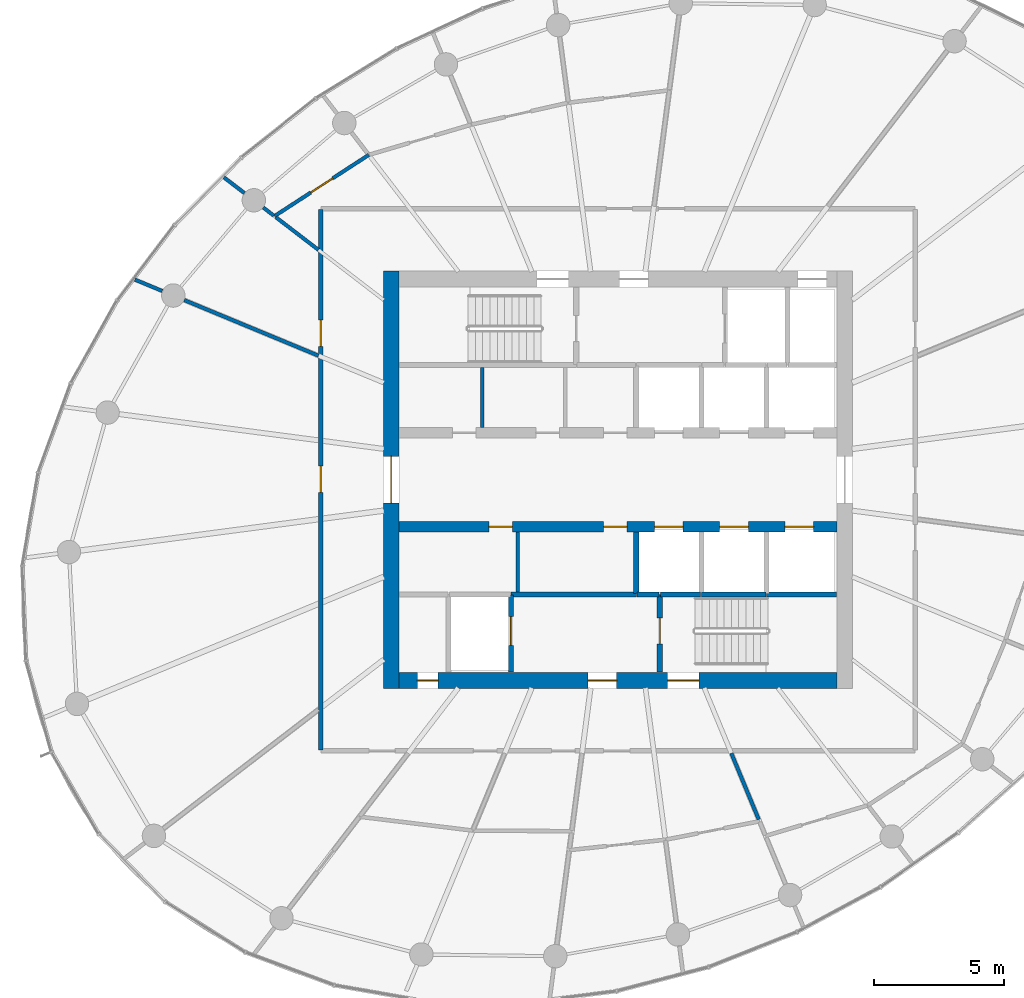
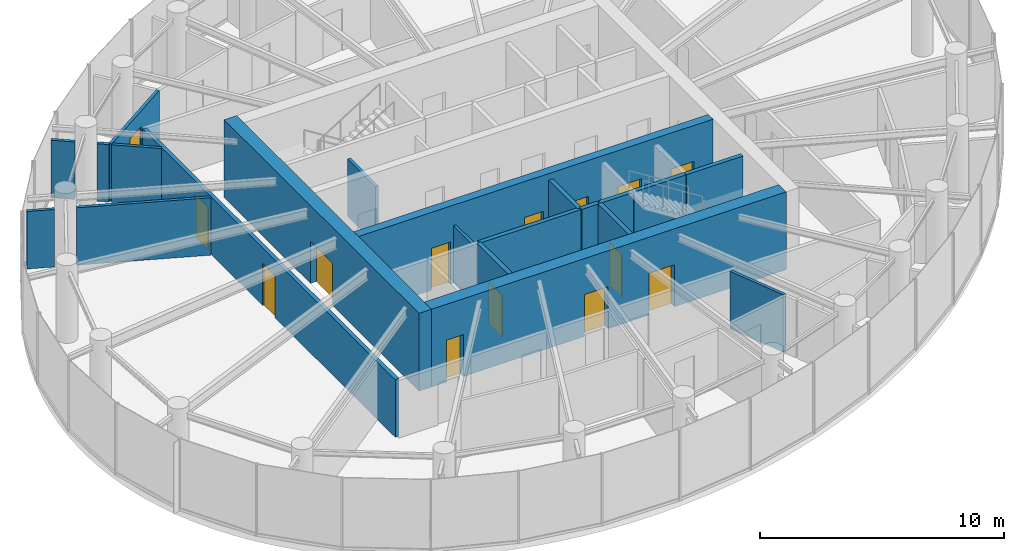
# One storey, part 10 of 14: 21 walls, 14 doors, 14 openings.
"""IFC4 building model written with IfcOpenShell, lengths in metres."""

from ifc_helpers import new_model, si_unit, direction, frame, frame_2d, origin, place, context, subcontext, project, spatial, rectangle, extrude, source, transform, mapped, material, layer, layer_set, type_object, element, fill, save


model = new_model("IFC4")

# Units and contexts
model_context = context("Model", 3, precision=1e-05, world=origin(), true_north=direction((0.0, 1.0)))
body_context = subcontext(model_context, "Body", "Model", "MODEL_VIEW")
ifc_project = project(units=[si_unit("LENGTHUNIT", "METRE"), si_unit("AREAUNIT", "SQUARE_METRE"), si_unit("VOLUMEUNIT", "CUBIC_METRE"), si_unit("PLANEANGLEUNIT", "RADIAN"), si_unit("MASSUNIT", "GRAM", prefix="KILO")], contexts=[model_context])

# Site, building, storey
site_placement = place(None, origin())
site = spatial("IfcSite", under=ifc_project, at=site_placement, CompositionType="ELEMENT")
building_placement = place(site_placement, origin())
building = spatial("IfcBuilding", under=site, at=building_placement, Name="Spindrift Exchange Tower", CompositionType="ELEMENT")
storey_placement = place(building_placement, frame((0.0, 0.0, 215.0)))
storey = spatial("IfcBuildingStorey", under=building, at=storey_placement, Name="L52", CompositionType="ELEMENT", Elevation=215.0)

# Wall, opening, door
ifc_material_1 = material(Name="Concrete 50 MPa", Category="concrete")
ifc_layer_1 = layer(ifc_material_1, 0.60009765625)
ifc_layer_set_1 = layer_set([ifc_layer_1], Name="RC Core Wall 600 Concrete 50 MPa")
wall_type_1 = type_object("IfcWallType", Name="RC Core Wall 600 Concrete 50 MPa", PredefinedType="SHEAR", material=ifc_layer_set_1)
wall_1_placement = place(storey_placement, frame((43.300048828125, 56.0, 0.0), z_axis=(0.0, 0.0, 1.0), x_axis=(0.0, -1.0, 0.0)))
wall_1 = element("IfcWall", 1, at=wall_1_placement, inside=storey, type_object=wall_type_1, Name="Core wall W L52", PredefinedType="SHEAR", context=body_context, shape_type="SweptSolid", body=[
    extrude(rectangle(XDim=16.0, YDim=0.60009765625, at=frame_2d((8.0, 0.0))), origin(), (0.0, 0.0, 1.0), 3.89990234375),
])
opening_1_placement = place(wall_1_placement, frame((7.10009765625, 0.0, 0.0)))
opening_1 = element("IfcOpeningElement", 2, at=opening_1_placement, cuts=wall_1, Name="Opening L52-D1", PredefinedType="OPENING", context=body_context, shape_type="SweptSolid", body=[
    extrude(rectangle(XDim=1.800048828125, YDim=2.10009765625, at=frame_2d((0.89990234375, 1.050048828125))), frame((0.0, 0.31005859375, 0.0), z_axis=(0.0, -1.0, 0.0), x_axis=(1.0, 0.0, 0.0)), (0.0, 0.0, 1.0), 0.6201171875),
])
ifc_material_2 = material(Name="Timber-core fire door", Category="wood")
door_type_1 = type_object("IfcDoorType", Name="DR-LOBBY-1800", OperationType="NOTDEFINED", PredefinedType="DOOR", material=ifc_material_2)
shared_shape_1 = source(origin(), body_context, "Body", "SweptSolid", [
    extrude(rectangle(XDim=1.800048828125, YDim=2.10009765625, at=frame_2d((0.89990234375, 1.050048828125))), frame((0.0, 0.02490234375, 0.0), z_axis=(0.0, -1.0, 0.0), x_axis=(1.0, 0.0, 0.0)), (0.0, 0.0, 1.0), 0.050048828125),
])
door_1_placement = place(opening_1_placement, origin())
door_1 = element("IfcDoor", 3, at=door_1_placement, inside=storey, type_object=door_type_1, Name="L52 Lobby door 1", OperationType="SINGLE_SWING_LEFT", OverallHeight=2.10009765625, OverallWidth=1.800048828125, PredefinedType="DOOR", context=body_context, shape_type="MappedRepresentation", body=[
    mapped(shared_shape_1, transform((0.0, 0.0, 0.0), scale=1.0)),
])
fill(opening_1, door_1)

# Wall, openings, doors
wall_2_placement = place(storey_placement, frame((43.60009765625, 40.300048828125, 0.0), z_axis=(0.0, 0.0, 1.0), x_axis=(1.0, 0.0, 0.0)))
wall_2 = element("IfcWall", 4, at=wall_2_placement, inside=storey, type_object=wall_type_1, Name="Core wall S L52", PredefinedType="SHEAR", context=body_context, shape_type="SweptSolid", body=[
    extrude(rectangle(XDim=16.7998046875, YDim=0.60009765625, at=frame_2d((8.39990234375, 0.0))), origin(), (0.0, 0.0, 1.0), 3.89990234375),
])
opening_2_placement = place(wall_2_placement, frame((10.300048828125, 0.0, 0.0)))
opening_2 = element("IfcOpeningElement", 5, at=opening_2_placement, cuts=wall_2, Name="Opening L52-D15", PredefinedType="OPENING", context=body_context, shape_type="SweptSolid", body=[
    extrude(rectangle(XDim=1.199951171875, YDim=2.10009765625, at=frame_2d((0.60009765625, 1.050048828125))), frame((0.0, 0.31005859375, 0.0), z_axis=(0.0, -1.0, 0.0), x_axis=(1.0, 0.0, 0.0)), (0.0, 0.0, 1.0), 0.6201171875),
])
opening_3_placement = place(wall_2_placement, frame((7.25, 0.0, 0.0)))
opening_3 = element("IfcOpeningElement", 6, at=opening_3_placement, cuts=wall_2, Name="Opening L52-D17", PredefinedType="OPENING", context=body_context, shape_type="SweptSolid", body=[
    extrude(rectangle(XDim=1.10009765625, YDim=2.10009765625, at=frame_2d((0.550048828125, 1.050048828125))), frame((0.0, 0.31005859375, 0.0), z_axis=(0.0, -1.0, 0.0), x_axis=(1.0, 0.0, 0.0)), (0.0, 0.0, 1.0), 0.6201171875),
])
opening_4_placement = place(wall_2_placement, frame((0.699951171875, 0.0, 0.0)))
opening_4 = element("IfcOpeningElement", 7, at=opening_4_placement, cuts=wall_2, Name="Opening L52-D18", PredefinedType="OPENING", context=body_context, shape_type="SweptSolid", body=[
    extrude(rectangle(XDim=0.800048828125, YDim=2.10009765625, at=frame_2d((0.39990234375, 1.050048828125))), frame((0.0, 0.31005859375, 0.0), z_axis=(0.0, -1.0, 0.0), x_axis=(1.0, 0.0, 0.0)), (0.0, 0.0, 1.0), 0.6201171875),
])
ifc_material_3 = material(Name="Steel fire door", Category="steel")
door_type_2 = type_object("IfcDoorType", Name="DR-STAIR-1200", OperationType="NOTDEFINED", PredefinedType="DOOR", material=ifc_material_3)
shared_shape_2 = source(origin(), body_context, "Body", "SweptSolid", [
    extrude(rectangle(XDim=1.199951171875, YDim=2.10009765625, at=frame_2d((0.60009765625, 1.050048828125))), frame((0.0, 0.02490234375, 0.0), z_axis=(0.0, -1.0, 0.0), x_axis=(1.0, 0.0, 0.0)), (0.0, 0.0, 1.0), 0.050048828125),
])
door_2_placement = place(opening_2_placement, origin())
door_2 = element("IfcDoor", 8, at=door_2_placement, inside=storey, type_object=door_type_2, Name="L52 Stair door 15", OperationType="SINGLE_SWING_RIGHT", OverallHeight=2.10009765625, OverallWidth=1.199951171875, PredefinedType="DOOR", context=body_context, shape_type="MappedRepresentation", body=[
    mapped(shared_shape_2, transform((0.0, 0.0, 0.0), scale=1.0)),
])
fill(opening_2, door_2)
door_type_3 = type_object("IfcDoorType", Name="DR-LOBBY-1100", OperationType="NOTDEFINED", PredefinedType="DOOR", material=ifc_material_2)
shared_shape_3 = source(origin(), body_context, "Body", "SweptSolid", [
    extrude(rectangle(XDim=1.10009765625, YDim=2.10009765625, at=frame_2d((0.550048828125, 1.050048828125))), frame((0.0, 0.02490234375, 0.0), z_axis=(0.0, -1.0, 0.0), x_axis=(1.0, 0.0, 0.0)), (0.0, 0.0, 1.0), 0.050048828125),
])
door_3_placement = place(opening_3_placement, origin())
door_3 = element("IfcDoor", 9, at=door_3_placement, inside=storey, type_object=door_type_3, Name="L52 Lobby door 17", OperationType="SINGLE_SWING_RIGHT", OverallHeight=2.10009765625, OverallWidth=1.10009765625, PredefinedType="DOOR", context=body_context, shape_type="MappedRepresentation", body=[
    mapped(shared_shape_3, transform((0.0, 0.0, 0.0), scale=1.0)),
])
fill(opening_3, door_3)
ifc_material_4 = material(Name="Steel access door", Category="steel")
door_type_4 = type_object("IfcDoorType", Name="DR-RISER-800", OperationType="NOTDEFINED", PredefinedType="DOOR", material=ifc_material_4)
shared_shape_4 = source(origin(), body_context, "Body", "SweptSolid", [
    extrude(rectangle(XDim=0.800048828125, YDim=2.10009765625, at=frame_2d((0.39990234375, 1.050048828125))), frame((0.0, 0.02490234375, 0.0), z_axis=(0.0, -1.0, 0.0), x_axis=(1.0, 0.0, 0.0)), (0.0, 0.0, 1.0), 0.050048828125),
])
door_4_placement = place(opening_4_placement, origin())
door_4 = element("IfcDoor", 10, at=door_4_placement, inside=storey, type_object=door_type_4, Name="L52 Riser door 18", OperationType="SINGLE_SWING_LEFT", OverallHeight=2.10009765625, OverallWidth=0.800048828125, PredefinedType="DOOR", context=body_context, shape_type="MappedRepresentation", body=[
    mapped(shared_shape_4, transform((0.0, 0.0, 0.0), scale=1.0)),
])
fill(opening_4, door_4)

ifc_layer_2 = layer(ifc_material_1, 0.39990234375)
ifc_layer_set_2 = layer_set([ifc_layer_2], Name="RC Spine Wall 400 Concrete 50 MPa")
wall_type_2 = type_object("IfcWallType", Name="RC Spine Wall 400 Concrete 50 MPa", PredefinedType="SHEAR", material=ifc_layer_set_2)
wall_3_placement = place(storey_placement, frame((43.60009765625, 46.199951171875, 0.0), z_axis=(0.0, 0.0, 1.0), x_axis=(1.0, 0.0, 0.0)))
wall_3 = element("IfcWall", 11, at=wall_3_placement, inside=storey, type_object=wall_type_2, Name="Core spine wall S L52", PredefinedType="SHEAR", context=body_context, shape_type="SweptSolid", body=[
    extrude(rectangle(XDim=16.7998046875, YDim=0.39990234375, at=frame_2d((8.39990234375, 0.0))), origin(), (0.0, 0.0, 1.0), 3.89990234375),
])
opening_5_placement = place(wall_3_placement, frame((9.800048828125, 0.0, 0.0)))
opening_5 = element("IfcOpeningElement", 12, at=opening_5_placement, cuts=wall_3, Name="Opening L52-D6", PredefinedType="OPENING", context=body_context, shape_type="SweptSolid", body=[
    extrude(rectangle(XDim=1.10009765625, YDim=2.10009765625, at=frame_2d((0.550048828125, 1.050048828125))), frame((0.0, 0.2099609375, 0.0), z_axis=(0.0, -1.0, 0.0), x_axis=(1.0, 0.0, 0.0)), (0.0, 0.0, 1.0), 0.419921875),
])
opening_6_placement = place(wall_3_placement, frame((12.300048828125, 0.0, 0.0)))
opening_6 = element("IfcOpeningElement", 13, at=opening_6_placement, cuts=wall_3, Name="Opening L52-D7", PredefinedType="OPENING", context=body_context, shape_type="SweptSolid", body=[
    extrude(rectangle(XDim=1.10009765625, YDim=2.10009765625, at=frame_2d((0.550048828125, 1.050048828125))), frame((0.0, 0.2099609375, 0.0), z_axis=(0.0, -1.0, 0.0), x_axis=(1.0, 0.0, 0.0)), (0.0, 0.0, 1.0), 0.419921875),
])
opening_7_placement = place(wall_3_placement, frame((14.800048828125, 0.0, 0.0)))
opening_7 = element("IfcOpeningElement", 14, at=opening_7_placement, cuts=wall_3, Name="Opening L52-D8", PredefinedType="OPENING", context=body_context, shape_type="SweptSolid", body=[
    extrude(rectangle(XDim=1.10009765625, YDim=2.10009765625, at=frame_2d((0.550048828125, 1.050048828125))), frame((0.0, 0.2099609375, 0.0), z_axis=(0.0, -1.0, 0.0), x_axis=(1.0, 0.0, 0.0)), (0.0, 0.0, 1.0), 0.419921875),
])
opening_8_placement = place(wall_3_placement, frame((3.449951171875, 0.0, 0.0)))
opening_8 = element("IfcOpeningElement", 15, at=opening_8_placement, cuts=wall_3, Name="Opening L52-D44", PredefinedType="OPENING", context=body_context, shape_type="SweptSolid", body=[
    extrude(rectangle(XDim=0.89990234375, YDim=2.10009765625, at=frame_2d((0.449951171875, 1.050048828125))), frame((0.0, 0.2099609375, 0.0), z_axis=(0.0, -1.0, 0.0), x_axis=(1.0, 0.0, 0.0)), (0.0, 0.0, 1.0), 0.419921875),
])
opening_9_placement = place(wall_3_placement, frame((7.85009765625, 0.0, 0.0)))
opening_9 = element("IfcOpeningElement", 16, at=opening_9_placement, cuts=wall_3, Name="Opening L52-D45", PredefinedType="OPENING", context=body_context, shape_type="SweptSolid", body=[
    extrude(rectangle(XDim=0.89990234375, YDim=2.10009765625, at=frame_2d((0.449951171875, 1.050048828125))), frame((0.0, 0.2099609375, 0.0), z_axis=(0.0, -1.0, 0.0), x_axis=(1.0, 0.0, 0.0)), (0.0, 0.0, 1.0), 0.419921875),
])
ifc_material_5 = material(Name="Stainless steel landing door", Category="steel")
door_type_5 = type_object("IfcDoorType", Name="DR-LANDING-1100-SL", OperationType="DOUBLE_DOOR_SLIDING", PredefinedType="USERDEFINED", material=ifc_material_5)
shared_shape_5 = source(origin(), body_context, "Body", "SweptSolid", [
    extrude(rectangle(XDim=1.10009765625, YDim=2.10009765625, at=frame_2d((0.550048828125, 1.050048828125))), frame((0.0, 0.02490234375, 0.0), z_axis=(0.0, -1.0, 0.0), x_axis=(1.0, 0.0, 0.0)), (0.0, 0.0, 1.0), 0.050048828125),
])
door_5_placement = place(opening_5_placement, origin())
door_5 = element("IfcDoor", 17, at=door_5_placement, inside=storey, type_object=door_type_5, Name="L52 Lift landing door 6", ObjectType="LANDING DOOR", OperationType="DOUBLE_DOOR_SLIDING", OverallHeight=2.10009765625, OverallWidth=1.10009765625, PredefinedType="USERDEFINED", context=body_context, shape_type="MappedRepresentation", body=[
    mapped(shared_shape_5, transform((0.0, 0.0, 0.0), scale=1.0)),
])
fill(opening_5, door_5)
door_6_placement = place(opening_6_placement, origin())
door_6 = element("IfcDoor", 18, at=door_6_placement, inside=storey, type_object=door_type_5, Name="L52 Lift landing door 7", ObjectType="LANDING DOOR", OperationType="DOUBLE_DOOR_SLIDING", OverallHeight=2.10009765625, OverallWidth=1.10009765625, PredefinedType="USERDEFINED", context=body_context, shape_type="MappedRepresentation", body=[
    mapped(shared_shape_5, transform((0.0, 0.0, 0.0), scale=1.0)),
])
fill(opening_6, door_6)
door_7_placement = place(opening_7_placement, origin())
door_7 = element("IfcDoor", 19, at=door_7_placement, inside=storey, type_object=door_type_5, Name="L52 Lift landing door 8", ObjectType="LANDING DOOR", OperationType="DOUBLE_DOOR_SLIDING", OverallHeight=2.10009765625, OverallWidth=1.10009765625, PredefinedType="USERDEFINED", context=body_context, shape_type="MappedRepresentation", body=[
    mapped(shared_shape_5, transform((0.0, 0.0, 0.0), scale=1.0)),
])
fill(opening_7, door_7)
door_type_6 = type_object("IfcDoorType", Name="DR-RISER-900", OperationType="NOTDEFINED", PredefinedType="DOOR", material=ifc_material_4)
shared_shape_6 = source(origin(), body_context, "Body", "SweptSolid", [
    extrude(rectangle(XDim=0.89990234375, YDim=2.10009765625, at=frame_2d((0.449951171875, 1.050048828125))), frame((0.0, 0.02490234375, 0.0), z_axis=(0.0, -1.0, 0.0), x_axis=(1.0, 0.0, 0.0)), (0.0, 0.0, 1.0), 0.050048828125),
])
door_8_placement = place(opening_8_placement, origin())
door_8 = element("IfcDoor", 20, at=door_8_placement, inside=storey, type_object=door_type_6, Name="L52 Riser door 44", OperationType="SINGLE_SWING_LEFT", OverallHeight=2.10009765625, OverallWidth=0.89990234375, PredefinedType="DOOR", context=body_context, shape_type="MappedRepresentation", body=[
    mapped(shared_shape_6, transform((0.0, 0.0, 0.0), scale=1.0)),
])
fill(opening_8, door_8)
door_9_placement = place(opening_9_placement, origin())
door_9 = element("IfcDoor", 21, at=door_9_placement, inside=storey, type_object=door_type_6, Name="L52 Riser door 45", OperationType="SINGLE_SWING_RIGHT", OverallHeight=2.10009765625, OverallWidth=0.89990234375, PredefinedType="DOOR", context=body_context, shape_type="MappedRepresentation", body=[
    mapped(shared_shape_6, transform((0.0, 0.0, 0.0), scale=1.0)),
])
fill(opening_9, door_9)

ifc_material_6 = material(Name="Fire-rated plasterboard partition", Category="gypsum")
ifc_layer_3 = layer(ifc_material_6, 0.179931640625)
ifc_layer_set_3 = layer_set([ifc_layer_3], Name="W-CORR-180")
wall_type_3 = type_object("IfcWallType", Name="W-CORR-180", PredefinedType="PARTITIONING", material=ifc_layer_set_3)
wall_4_placement = place(storey_placement, frame((40.60009765625, 37.6298828125, 0.0), z_axis=(0.0, 0.0, 1.0), x_axis=(0.0, 1.0, 0.0)))
wall_4 = element("IfcWall", 22, at=wall_4_placement, inside=storey, type_object=wall_type_3, Name="L52 Partition wall 30", PredefinedType="PARTITIONING", context=body_context, shape_type="SweptSolid", body=[
    extrude(rectangle(XDim=20.740234375, YDim=0.179931640625, at=frame_2d((10.3701171875, 0.0))), origin(), (0.0, 0.0, 1.0), 2.8798828125),
])
opening_10_placement = place(wall_4_placement, frame((15.489990234375, 0.0, 0.0)))
opening_10 = element("IfcOpeningElement", 23, at=opening_10_placement, cuts=wall_4, Name="Opening L52-D38", PredefinedType="OPENING", context=body_context, shape_type="SweptSolid", body=[
    extrude(rectangle(XDim=1.0, YDim=2.10009765625, at=frame_2d((0.5, 1.050048828125))), frame((0.0, 0.099853515625, 0.0), z_axis=(0.0, -1.0, 0.0), x_axis=(1.0, 0.0, 0.0)), (0.0, 0.0, 1.0), 0.199951171875),
])
opening_11_placement = place(wall_4_placement, frame((9.889892578125, 0.0, 0.0)))
opening_11 = element("IfcOpeningElement", 24, at=opening_11_placement, cuts=wall_4, Name="Opening L52-D39", PredefinedType="OPENING", context=body_context, shape_type="SweptSolid", body=[
    extrude(rectangle(XDim=1.0, YDim=2.10009765625, at=frame_2d((0.5, 1.050048828125))), frame((0.0, 0.099853515625, 0.0), z_axis=(0.0, -1.0, 0.0), x_axis=(1.0, 0.0, 0.0)), (0.0, 0.0, 1.0), 0.199951171875),
])
door_type_7 = type_object("IfcDoorType", Name="DR-ROOM-1000", OperationType="NOTDEFINED", PredefinedType="DOOR", material=ifc_material_2)
shared_shape_7 = source(origin(), body_context, "Body", "SweptSolid", [
    extrude(rectangle(XDim=1.0, YDim=2.10009765625, at=frame_2d((0.5, 1.050048828125))), frame((0.0, 0.02490234375, 0.0), z_axis=(0.0, -1.0, 0.0), x_axis=(1.0, 0.0, 0.0)), (0.0, 0.0, 1.0), 0.050048828125),
])
door_10_placement = place(opening_10_placement, origin())
door_10 = element("IfcDoor", 25, at=door_10_placement, inside=storey, type_object=door_type_7, Name="L52 Door 38", OperationType="SINGLE_SWING_LEFT", OverallHeight=2.10009765625, OverallWidth=1.0, PredefinedType="DOOR", context=body_context, shape_type="MappedRepresentation", body=[
    mapped(shared_shape_7, transform((0.0, 0.0, 0.0), scale=1.0)),
])
fill(opening_10, door_10)
door_11_placement = place(opening_11_placement, origin())
door_11 = element("IfcDoor", 26, at=door_11_placement, inside=storey, type_object=door_type_7, Name="L52 Door 39", OperationType="SINGLE_SWING_RIGHT", OverallHeight=2.10009765625, OverallWidth=1.0, PredefinedType="DOOR", context=body_context, shape_type="MappedRepresentation", body=[
    mapped(shared_shape_7, transform((0.0, 0.0, 0.0), scale=1.0)),
])
fill(opening_11, door_11)

# Wall
ifc_layer_4 = layer(ifc_material_6, 0.139892578125)
ifc_layer_set_4 = layer_set([ifc_layer_4], Name="W-PART-140")
wall_type_4 = type_object("IfcWallType", Name="W-PART-140", PredefinedType="PARTITIONING", material=ifc_layer_set_4)
wall_5_placement = place(storey_placement, frame((40.510009765625, 52.75927734375, 0.0), z_axis=(0.0, 0.0, 1.0), x_axis=(-0.9238758778, 0.382692255499, 0.0)))
element("IfcWall", 27, at=wall_5_placement, inside=storey, type_object=wall_type_4, Name="L52 Partition wall 34", PredefinedType="PARTITIONING", context=body_context, shape_type="SweptSolid", body=[
    extrude(rectangle(XDim=5.5732421875, YDim=0.139892578125, at=frame_2d((2.78662109375, 0.0))), origin(), (0.0, 0.0, 1.0), 2.8798828125),
])

# Wall, opening, door
wall_6_placement = place(storey_placement, frame((38.8212890625, 58.1123046875, 0.0), z_axis=(0.0, 0.0, 1.0), x_axis=(0.838669882541, 0.544640090444, 0.0)))
wall_6 = element("IfcWall", 28, at=wall_6_placement, inside=storey, type_object=wall_type_4, Name="L52 Partition wall 40", PredefinedType="PARTITIONING", context=body_context, shape_type="SweptSolid", body=[
    extrude(rectangle(XDim=4.312744140625, YDim=0.139892578125, at=frame_2d((2.15625, 0.0))), origin(), (0.0, 0.0, 1.0), 2.8798828125),
])
opening_12_placement = place(wall_6_placement, frame((1.66259765625, 0.0, 0.0)))
opening_12 = element("IfcOpeningElement", 29, at=opening_12_placement, cuts=wall_6, Name="Opening L52-D37", PredefinedType="OPENING", context=body_context, shape_type="SweptSolid", body=[
    extrude(rectangle(XDim=1.0, YDim=2.10009765625, at=frame_2d((0.5, 1.050048828125))), frame((0.0, 0.079833984375, 0.0), z_axis=(0.0, -1.0, 0.0), x_axis=(1.0, 0.0, 0.0)), (0.0, 0.0, 1.0), 0.159912109375),
])
door_12_placement = place(opening_12_placement, origin())
door_12 = element("IfcDoor", 30, at=door_12_placement, inside=storey, type_object=door_type_7, Name="L52 Door 37", OperationType="SINGLE_SWING_RIGHT", OverallHeight=2.10009765625, OverallWidth=1.0, PredefinedType="DOOR", context=body_context, shape_type="MappedRepresentation", body=[
    mapped(shared_shape_7, transform((0.0, 0.0, 0.0), scale=1.0)),
])
fill(opening_12, door_12)

# Walls
wall_7_placement = place(storey_placement, frame((56.34521484375, 37.510009765625, 0.0), z_axis=(0.0, 0.0, 1.0), x_axis=(0.382675461762, -0.923882834003, 0.0)))
element("IfcWall", 31, at=wall_7_placement, inside=storey, type_object=wall_type_4, Name="L52 Partition wall 55", PredefinedType="PARTITIONING", context=body_context, shape_type="SweptSolid", body=[
    extrude(rectangle(XDim=2.75341796875, YDim=0.139892578125, at=frame_2d((1.376708984375, 0.0))), origin(), (0.0, 0.0, 1.0), 2.8798828125),
])
for number, where, z_axis, x_axis, name in (
    (32, (46.784912109375, 50.010009765625, 0.0), (0.0, 0.0, 1.0), (0.0, 1.0, 0.0), "L52 Partition wall 58"),
    (33, (48.14990234375, 43.699951171875, 0.0), (0.0, 0.0, 1.0), (0.0, 1.0, 0.0), "L52 Partition wall 59"),
):
    element("IfcWall", number, at=place(storey_placement, frame(where, z_axis=z_axis, x_axis=x_axis)), inside=storey, type_object=wall_type_4, Name=name, PredefinedType="PARTITIONING", context=body_context, shape_type="SweptSolid", body=[
        extrude(rectangle(XDim=2.2900390625, YDim=0.139892578125, at=frame_2d((1.14501953125, 0.0))), origin(), (0.0, 0.0, 1.0), 2.8798828125),
    ])
wall_8_placement = place(storey_placement, frame((40.510009765625, 56.816650390625, 0.0), z_axis=(0.0, 0.0, 1.0), x_axis=(-0.793392079692, 0.608710939512, 0.0)))
element("IfcWall", 34, at=wall_8_placement, inside=storey, type_object=wall_type_4, Name="L52 Partition wall 61", PredefinedType="PARTITIONING", context=body_context, shape_type="SweptSolid", body=[
    extrude(rectangle(XDim=2.054443359375, YDim=0.139892578125, at=frame_2d((1.02734375, 0.0))), origin(), (0.0, 0.0, 1.0), 2.8798828125),
])
wall_9_placement = place(storey_placement, frame((34.520263671875, 55.240478515625, 0.0), z_axis=(0.0, 0.0, 1.0), x_axis=(-0.92392296186, 0.38257856781, 0.0)))
element("IfcWall", 35, at=wall_9_placement, inside=storey, type_object=wall_type_4, Name="L52 Partition wall 71", PredefinedType="PARTITIONING", context=body_context, shape_type="SweptSolid", body=[
    extrude(rectangle(XDim=1.14111328125, YDim=0.139892578125, at=frame_2d((0.570556640625, 0.0))), origin(), (0.0, 0.0, 1.0), 2.8798828125),
])
wall_10_placement = place(storey_placement, frame((37.66845703125, 58.9970703125, 0.0), z_axis=(0.0, 0.0, 1.0), x_axis=(-0.793419984166, 0.608674567176, 0.0)))
element("IfcWall", 36, at=wall_10_placement, inside=storey, type_object=wall_type_4, Name="L52 Partition wall 77", PredefinedType="PARTITIONING", context=body_context, shape_type="SweptSolid", body=[
    extrude(rectangle(XDim=0.9912109375, YDim=0.139892578125, at=frame_2d((0.49560546875, 0.0))), origin(), (0.0, 0.0, 1.0), 2.8798828125),
])
wall_11_placement = place(storey_placement, frame((38.797607421875, 58.130615234375, 0.0), z_axis=(0.0, 0.0, 1.0), x_axis=(-0.793399979609, 0.608700642645, 0.0)))
element("IfcWall", 37, at=wall_11_placement, inside=storey, type_object=wall_type_4, Name="L52 Partition wall 86", PredefinedType="PARTITIONING", context=body_context, shape_type="SweptSolid", body=[
    extrude(rectangle(XDim=0.51416015625, YDim=0.139892578125, at=frame_2d((0.257080078125, 0.0))), origin(), (0.0, 0.0, 1.0), 2.8798828125),
])
ifc_material_7 = material(Name="Concrete 40 MPa", Category="concrete")
ifc_layer_5 = layer(ifc_material_7, 0.199951171875)
ifc_layer_set_5 = layer_set([ifc_layer_5], Name="W-SHAFT-200")
wall_type_5 = type_object("IfcWallType", Name="W-SHAFT-200", PredefinedType="SOLIDWALL", material=ifc_layer_set_5)
wall_12_placement = place(storey_placement, frame((52.699951171875, 43.60009765625, 0.0), z_axis=(0.0, 0.0, 1.0), x_axis=(-1.0, 0.0, 0.0)))
element("IfcWall", 38, at=wall_12_placement, inside=storey, type_object=wall_type_5, Name="L52 Shaft wall 2", PredefinedType="SOLIDWALL", context=body_context, shape_type="SweptSolid", body=[
    extrude(rectangle(XDim=4.800048828125, YDim=0.199951171875, at=frame_2d((2.39990234375, 0.0))), origin(), (0.0, 0.0, 1.0), 3.580078125),
])

# Wall, opening, door
wall_13_placement = place(storey_placement, frame((47.89990234375, 40.6201171875, 0.0), z_axis=(0.0, 0.0, 1.0), x_axis=(0.0, 1.0, 0.0)))
wall_13 = element("IfcWall", 39, at=wall_13_placement, inside=storey, type_object=wall_type_5, Name="L52 Shaft wall 4", PredefinedType="SOLIDWALL", context=body_context, shape_type="SweptSolid", body=[
    extrude(rectangle(XDim=2.949951171875, YDim=0.199951171875, at=frame_2d((1.47509765625, 0.0))), origin(), (0.0, 0.0, 1.0), 3.580078125),
])
opening_13_placement = place(wall_13_placement, frame((1.030029296875, 0.0, 0.0)))
opening_13 = element("IfcOpeningElement", 40, at=opening_13_placement, cuts=wall_13, Name="Opening L52-D10", PredefinedType="OPENING", context=body_context, shape_type="SweptSolid", body=[
    extrude(rectangle(XDim=1.10009765625, YDim=2.10009765625, at=frame_2d((0.550048828125, 1.050048828125))), frame((0.0, 0.10986328125, 0.0), z_axis=(0.0, -1.0, 0.0), x_axis=(1.0, 0.0, 0.0)), (0.0, 0.0, 1.0), 0.219970703125),
])
door_13_placement = place(opening_13_placement, origin())
door_13 = element("IfcDoor", 41, at=door_13_placement, inside=storey, type_object=door_type_5, Name="L52 Lift landing door 10", ObjectType="LANDING DOOR", OperationType="DOUBLE_DOOR_SLIDING", OverallHeight=2.10009765625, OverallWidth=1.10009765625, PredefinedType="USERDEFINED", context=body_context, shape_type="MappedRepresentation", body=[
    mapped(shared_shape_5, transform((0.0, 0.0, 0.0), scale=1.0)),
])
fill(opening_13, door_13)

# Wall
wall_14_placement = place(storey_placement, frame((52.699951171875, 45.989990234375, 0.0), z_axis=(0.0, 0.0, 1.0), x_axis=(0.0, -1.0, 0.0)))
element("IfcWall", 42, at=wall_14_placement, inside=storey, type_object=wall_type_5, Name="L52 Shaft wall 13", PredefinedType="SOLIDWALL", context=body_context, shape_type="SweptSolid", body=[
    extrude(rectangle(XDim=2.360107421875, YDim=0.199951171875, at=frame_2d((1.18017578125, 0.0))), origin(), (0.0, 0.0, 1.0), 3.580078125),
])

# Wall, opening, door
ifc_layer_6 = layer(ifc_material_7, 0.199951171875)
ifc_layer_set_6 = layer_set([ifc_layer_6], Name="W-SHAFT-200-LB")
wall_type_6 = type_object("IfcWallType", Name="W-SHAFT-200-LB", PredefinedType="SOLIDWALL", material=ifc_layer_set_6)
wall_15_placement = place(storey_placement, frame((53.60009765625, 43.60009765625, 0.0), z_axis=(0.0, 0.0, 1.0), x_axis=(0.0, -1.0, 0.0)))
wall_15 = element("IfcWall", 43, at=wall_15_placement, inside=storey, type_object=wall_type_6, Name="L52 Shaft wall 6", PredefinedType="SOLIDWALL", context=body_context, shape_type="SweptSolid", body=[
    extrude(rectangle(XDim=2.97998046875, YDim=0.199951171875, at=frame_2d((1.489990234375, 0.0))), origin(), (0.0, 0.0, 1.0), 3.580078125),
])
opening_14_placement = place(wall_15_placement, frame((0.89990234375, 0.0, 0.0)))
opening_14 = element("IfcOpeningElement", 44, at=opening_14_placement, cuts=wall_15, Name="Opening L52-D16", PredefinedType="OPENING", context=body_context, shape_type="SweptSolid", body=[
    extrude(rectangle(XDim=1.0, YDim=2.10009765625, at=frame_2d((0.5, 1.050048828125))), frame((0.0, 0.10986328125, 0.0), z_axis=(0.0, -1.0, 0.0), x_axis=(1.0, 0.0, 0.0)), (0.0, 0.0, 1.0), 0.219970703125),
])
door_type_8 = type_object("IfcDoorType", Name="DR-STAIR-1000", OperationType="NOTDEFINED", PredefinedType="DOOR", material=ifc_material_3)
shared_shape_8 = source(origin(), body_context, "Body", "SweptSolid", [
    extrude(rectangle(XDim=1.0, YDim=2.10009765625, at=frame_2d((0.5, 1.050048828125))), frame((0.0, 0.02490234375, 0.0), z_axis=(0.0, -1.0, 0.0), x_axis=(1.0, 0.0, 0.0)), (0.0, 0.0, 1.0), 0.050048828125),
])
door_14_placement = place(opening_14_placement, origin())
door_14 = element("IfcDoor", 45, at=door_14_placement, inside=storey, type_object=door_type_8, Name="L52 Stair door 16", OperationType="SINGLE_SWING_LEFT", OverallHeight=2.10009765625, OverallWidth=1.0, PredefinedType="DOOR", context=body_context, shape_type="MappedRepresentation", body=[
    mapped(shared_shape_8, transform((0.0, 0.0, 0.0), scale=1.0)),
])
fill(opening_14, door_14)

# Walls
wall_16_placement = place(storey_placement, frame((57.699951171875, 43.60009765625, 0.0), z_axis=(0.0, 0.0, 1.0), x_axis=(1.0, 0.0, 0.0)))
element("IfcWall", 46, at=wall_16_placement, inside=storey, type_object=wall_type_6, Name="L52 Shaft wall 9", PredefinedType="SOLIDWALL", context=body_context, shape_type="SweptSolid", body=[
    extrude(rectangle(XDim=2.679931640625, YDim=0.199951171875, at=frame_2d((1.33984375, 0.0))), origin(), (0.0, 0.0, 1.0), 3.580078125),
])
wall_17_placement = place(storey_placement, frame((55.199951171875, 43.60009765625, 0.0), z_axis=(0.0, 0.0, 1.0), x_axis=(1.0, 0.0, 0.0)))
element("IfcWall", 47, at=wall_17_placement, inside=storey, type_object=wall_type_6, Name="L52 Shaft wall 11", PredefinedType="SOLIDWALL", context=body_context, shape_type="SweptSolid", body=[
    extrude(rectangle(XDim=2.469970703125, YDim=0.199951171875, at=frame_2d((1.23486328125, 0.0))), origin(), (0.0, 0.0, 1.0), 3.580078125),
])
wall_18_placement = place(storey_placement, frame((53.6298828125, 43.60009765625, 0.0), z_axis=(0.0, 0.0, 1.0), x_axis=(1.0, 0.0, 0.0)))
element("IfcWall", 48, at=wall_18_placement, inside=storey, type_object=wall_type_6, Name="L52 Shaft wall 22", PredefinedType="SOLIDWALL", context=body_context, shape_type="SweptSolid", body=[
    extrude(rectangle(XDim=1.5400390625, YDim=0.199951171875, at=frame_2d((0.77001953125, 0.0))), origin(), (0.0, 0.0, 1.0), 3.580078125),
])
wall_19_placement = place(storey_placement, frame((52.72998046875, 43.60009765625, 0.0), z_axis=(0.0, 0.0, 1.0), x_axis=(1.0, 0.0, 0.0)))
element("IfcWall", 49, at=wall_19_placement, inside=storey, type_object=wall_type_6, Name="L52 Shaft wall 24", PredefinedType="SOLIDWALL", context=body_context, shape_type="SweptSolid", body=[
    extrude(rectangle(XDim=0.840087890625, YDim=0.199951171875, at=frame_2d((0.419921875, 0.0))), origin(), (0.0, 0.0, 1.0), 3.580078125),
])

save(model, "model.ifc")
